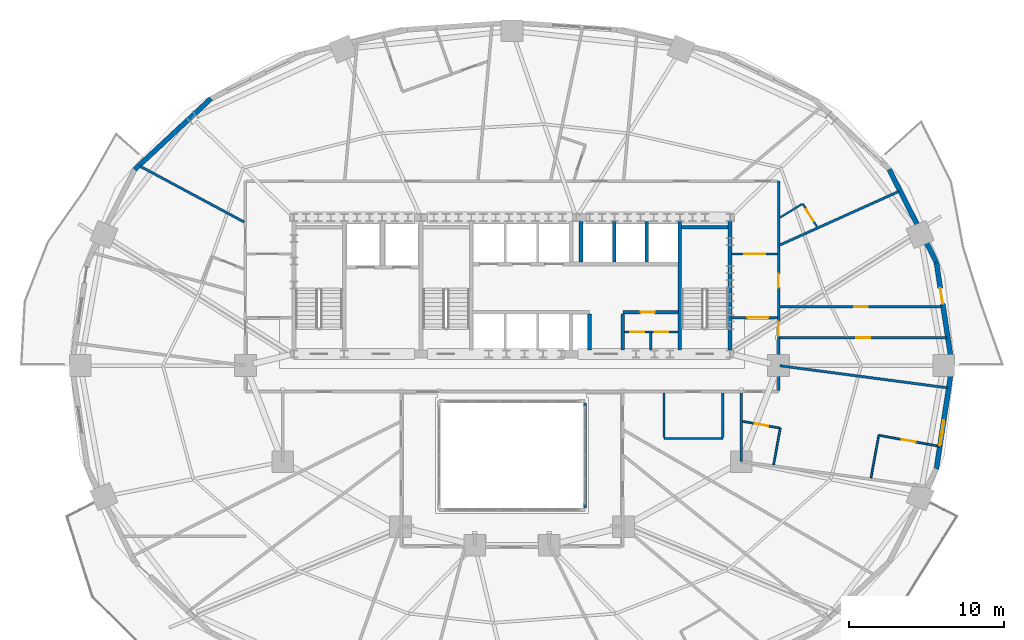
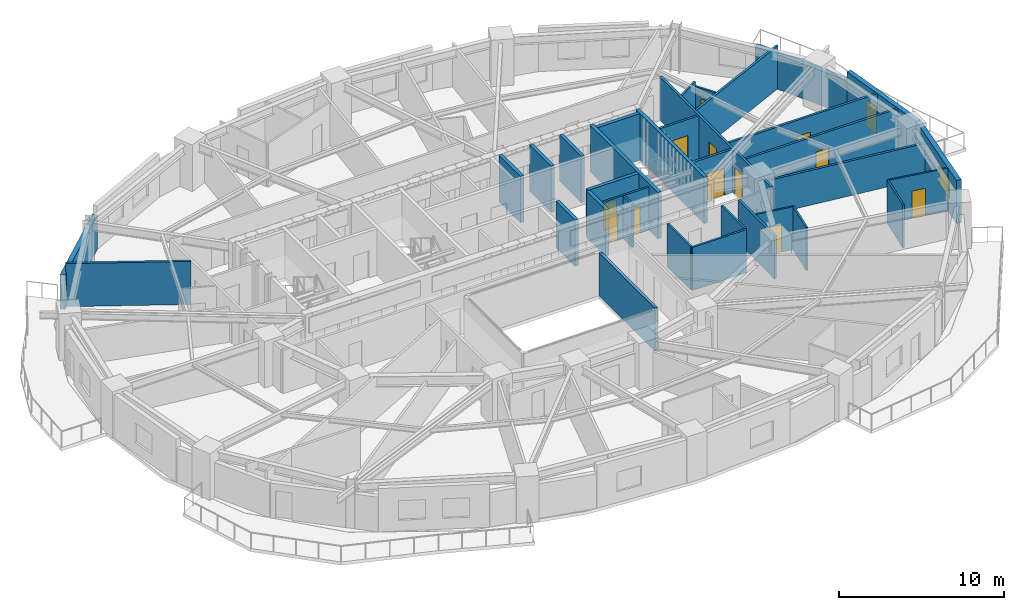
# One storey, part 10 of 15: 34 walls, 13 doors, 1 window, 14 openings.
"""IFC4 building model written with IfcOpenShell, lengths in metres."""

from ifc_helpers import new_model, si_unit, direction, frame, frame_2d, origin, place, context, subcontext, project, spatial, rectangle, extrude, material, layer, layer_set, type_object, element, fill, save


model = new_model("IFC4")

# Units and contexts
model_context = context("Model", 3, precision=1e-05, world=origin(), true_north=direction((0.0, 1.0)))
body_context = subcontext(model_context, "Body", "Model", "MODEL_VIEW")
ifc_project = project(units=[si_unit("LENGTHUNIT", "METRE"), si_unit("AREAUNIT", "SQUARE_METRE"), si_unit("VOLUMEUNIT", "CUBIC_METRE"), si_unit("PLANEANGLEUNIT", "RADIAN"), si_unit("MASSUNIT", "GRAM", prefix="KILO")], contexts=[model_context])

# Site, building, storey
site_placement = place(None, origin())
site = spatial("IfcSite", under=ifc_project, at=site_placement, CompositionType="ELEMENT")
building_placement = place(site_placement, origin())
building = spatial("IfcBuilding", under=site, at=building_placement, Name="Haldorwick Loom Tower", CompositionType="ELEMENT")
storey_placement = place(building_placement, frame((0.0, 0.0, 85.25)))
storey = spatial("IfcBuildingStorey", under=building, at=storey_placement, Name="L22", CompositionType="ELEMENT", Elevation=85.25)

# Wall, opening, door
ifc_material_1 = material(Name="Pressed Clay Face Brick and Insulated Masonry Backup Assembly", Category="masonry")
ifc_layer_1 = layer(ifc_material_1, 0.320068359375, Name="Pressed Clay Face Brick and Insulated Masonry Backup Assembly", Category="masonry")
ifc_layer_set_1 = layer_set([ifc_layer_1], Name="Pressed Clay Face Brick and Insulated Masonry Backup Assembly")
wall_type_1 = type_object("IfcWallType", Name="ARC-WL-EXT320", PredefinedType="STANDARD", material=ifc_layer_set_1)
wall_1_placement = place(storey_placement, frame((64.397705078125, 26.0, 0.0), z_axis=(0.0, 0.0, 1.0), x_axis=(-0.150633288003, 0.988589708901, 0.0)))
wall_1 = element("IfcWall", 1, at=wall_1_placement, inside=storey, type_object=wall_type_1, Name="L22 Brick Pier and Spandrel Wall 1", PredefinedType="STANDARD", context=body_context, shape_type="SweptSolid", body=[
    extrude(rectangle(XDim=6.752197265625, YDim=0.320068359375, at=frame_2d((3.3759765625, 0.0))), origin(), (0.0, 0.0, 1.0), 3.2099609375),
])
opening_1_placement = place(wall_1_placement, frame((4.03955078125, 0.0, 0.0)))
opening_1 = element("IfcOpeningElement", 2, at=opening_1_placement, cuts=wall_1, Name="Opening D-BL10", PredefinedType="OPENING", context=body_context, shape_type="SweptSolid", body=[
    extrude(rectangle(XDim=1.0, YDim=2.0400390625, at=frame_2d((0.5, 1.02001953125))), frame((0.0, 0.169921875, 0.0), z_axis=(0.0, -1.0, 0.0), x_axis=(1.0, 0.0, 0.0)), (0.0, 0.0, 1.0), 0.340087890625),
])
ifc_material_2 = material(Name="Thermally Broken Anodized Aluminium Curtain Wall Framing", Category="aluminium")
door_type_1 = type_object("IfcDoorType", Name="ARC-DR-BAL100", OperationType="NOTDEFINED", PredefinedType="DOOR", material=ifc_material_2)
door_1_placement = place(opening_1_placement, origin())
door_1 = element("IfcDoor", 3, at=door_1_placement, inside=storey, type_object=door_type_1, Name="L22 Outdoor Terrace Door SLB-L22-BAL_ENE", OperationType="SINGLE_SWING_LEFT", OverallHeight=2.0400390625, OverallWidth=1.0, PredefinedType="DOOR", context=body_context, shape_type="SweptSolid", body=[
    extrude(rectangle(XDim=1.0, YDim=2.0400390625, at=frame_2d((0.5, 1.02001953125))), frame((0.0, 0.02490234375, 0.0), z_axis=(0.0, -1.0, 0.0), x_axis=(1.0, 0.0, 0.0)), (0.0, 0.0, 1.0), 0.050048828125),
])
fill(opening_1, door_1)

# Walls
wall_2_placement = place(storey_placement, frame((63.380615234375, 32.675048828125, 0.0), z_axis=(0.0, 0.0, 1.0), x_axis=(-0.453374078001, 0.89132033826, 0.0)))
element("IfcWall", 4, at=wall_2_placement, inside=storey, type_object=wall_type_1, Name="L22 Brick Pier and Spandrel Wall 2", PredefinedType="STANDARD", context=body_context, shape_type="SweptSolid", body=[
    extrude(rectangle(XDim=6.709716796875, YDim=0.320068359375, at=frame_2d((3.35498046875, 0.0))), origin(), (0.0, 0.0, 1.0), 2.569091796875),
])
wall_3_placement = place(storey_placement, frame((16.573486328125, 43.2255859375, 0.0), z_axis=(0.0, 0.0, 1.0), x_axis=(-0.732137360086, -0.681157020052, 0.0)))
element("IfcWall", 5, at=wall_3_placement, inside=storey, type_object=wall_type_1, Name="L22 Brick Pier and Spandrel Wall 10", PredefinedType="STANDARD", context=body_context, shape_type="SweptSolid", body=[
    extrude(rectangle(XDim=6.709228515625, YDim=0.320068359375, at=frame_2d((3.3544921875, 0.0))), origin(), (0.0, 0.0, 1.0), 2.569091796875),
])

# Wall, opening, window
wall_4_placement = place(storey_placement, frame((63.380615234375, 19.324951171875, 0.0), z_axis=(0.0, 0.0, 1.0), x_axis=(0.150633288003, 0.988589708901, 0.0)))
wall_4 = element("IfcWall", 6, at=wall_4_placement, inside=storey, type_object=wall_type_1, Name="L22 Brick Pier and Spandrel Wall 24", PredefinedType="STANDARD", context=body_context, shape_type="SweptSolid", body=[
    extrude(rectangle(XDim=6.752197265625, YDim=0.320068359375, at=frame_2d((3.3759765625, 0.0))), origin(), (0.0, 0.0, 1.0), 3.2099609375),
])
opening_2_placement = place(wall_4_placement, frame((1.53515625, 0.0, 0.800048828125)))
opening_2 = element("IfcOpeningElement", 7, at=opening_2_placement, cuts=wall_4, Name="Opening W-01B", PredefinedType="OPENING", context=body_context, shape_type="SweptSolid", body=[
    extrude(rectangle(XDim=1.64990234375, YDim=1.449951171875, at=frame_2d((0.824951171875, 0.72509765625))), frame((0.0, 0.169921875, 0.0), z_axis=(0.0, -1.0, 0.0), x_axis=(1.0, 0.0, 0.0)), (0.0, 0.0, 1.0), 0.340087890625),
])
ifc_material_3 = material(Name="Triple-Glazed Low-E Argon Insulated Glazing Unit", Category="glass")
window_type = type_object("IfcWindowType", Name="ARC-WIN-W165", PartitioningType="SINGLE_PANEL", PredefinedType="WINDOW", material=ifc_material_3)
window_placement = place(opening_2_placement, origin())
window = element("IfcWindow", 8, at=window_placement, inside=storey, type_object=window_type, Name="L22 Deep-Set Zone 7A Window 24", OverallHeight=1.449951171875, OverallWidth=1.64990234375, PartitioningType="SINGLE_PANEL", PredefinedType="WINDOW", context=body_context, shape_type="SweptSolid", body=[
    extrude(rectangle(XDim=1.64990234375, YDim=1.449951171875, at=frame_2d((0.824951171875, 0.72509765625))), frame((0.0, 0.030029296875, 0.0), z_axis=(0.0, -1.0, 0.0), x_axis=(1.0, 0.0, 0.0)), (0.0, 0.0, 1.0), 0.06005859375),
])
fill(opening_2, window)

# Wall, openings, doors
ifc_material_4 = material(Name="Fire-Rated Type X Gypsum Stud Assembly EI 60")
ifc_layer_2 = layer(ifc_material_4, 0.159912109375, Name="Fire-Rated Type X Gypsum Stud Assembly EI 60")
ifc_layer_set_2 = layer_set([ifc_layer_2], Name="Fire-Rated Type X Gypsum Stud Assembly EI 60")
wall_type_2 = type_object("IfcWallType", Name="ARC-WL-FIRE160", PredefinedType="PARTITIONING", material=ifc_layer_set_2)
wall_5_placement = place(storey_placement, frame((53.199951171875, 24.383056640625, 0.0), z_axis=(0.0, 0.0, 1.0), x_axis=(0.0, 1.0, 0.0)))
wall_5 = element("IfcWall", 9, at=wall_5_placement, inside=storey, type_object=wall_type_2, Name="L22 Residential Fire Partition L22-CR-E0", PredefinedType="PARTITIONING", context=body_context, shape_type="SweptSolid", body=[
    extrude(rectangle(XDim=13.516845703125, YDim=0.159912109375, at=frame_2d((6.75830078125, 0.0))), origin(), (0.0, 0.0, 1.0), 3.195068359375),
])
opening_3_placement = place(wall_5_placement, frame((3.53857421875, 0.0, 0.0)))
opening_3 = element("IfcOpeningElement", 10, at=opening_3_placement, cuts=wall_5, Name="Opening D-FD60A", PredefinedType="OPENING", context=body_context, shape_type="SweptSolid", body=[
    extrude(rectangle(XDim=0.89990234375, YDim=2.0, at=frame_2d((0.449951171875, 1.0))), frame((0.0, 0.08984375, 0.0), z_axis=(0.0, -1.0, 0.0), x_axis=(1.0, 0.0, 0.0)), (0.0, 0.0, 1.0), 0.179931640625),
])
opening_4_placement = place(wall_5_placement, frame((6.640869140625, 0.0, 0.0)))
opening_4 = element("IfcOpeningElement", 11, at=opening_4_placement, cuts=wall_5, Name="Opening D-FD60A", PredefinedType="OPENING", context=body_context, shape_type="SweptSolid", body=[
    extrude(rectangle(XDim=0.89990234375, YDim=2.0, at=frame_2d((0.449951171875, 1.0))), frame((0.0, 0.08984375, 0.0), z_axis=(0.0, -1.0, 0.0), x_axis=(1.0, 0.0, 0.0)), (0.0, 0.0, 1.0), 0.179931640625),
])
ifc_material_5 = material(Name="Hollow Steel Fire Door Assembly", Category="steel")
door_type_2 = type_object("IfcDoorType", Name="ARC-DR-FD60-90", OperationType="NOTDEFINED", PredefinedType="DOOR", material=ifc_material_5)
door_2_placement = place(opening_3_placement, origin())
door_2 = element("IfcDoor", 12, at=door_2_placement, inside=storey, type_object=door_type_2, Name="L22 L22 Central Residential Corridor to L22 East Daylight Corridor Door", OperationType="SINGLE_SWING_LEFT", OverallHeight=2.0, OverallWidth=0.89990234375, PredefinedType="DOOR", context=body_context, shape_type="SweptSolid", body=[
    extrude(rectangle(XDim=0.89990234375, YDim=2.0, at=frame_2d((0.449951171875, 1.0))), frame((0.0, 0.02490234375, 0.0), z_axis=(0.0, -1.0, 0.0), x_axis=(1.0, 0.0, 0.0)), (0.0, 0.0, 1.0), 0.050048828125),
])
fill(opening_3, door_2)
door_3_placement = place(opening_4_placement, origin())
door_3 = element("IfcDoor", 13, at=door_3_placement, inside=storey, type_object=door_type_2, Name="L22 L22 East Residential Corridor to Shared Resident Dining Hall 4 Door", OperationType="SINGLE_SWING_LEFT", OverallHeight=2.0, OverallWidth=0.89990234375, PredefinedType="DOOR", context=body_context, shape_type="SweptSolid", body=[
    extrude(rectangle(XDim=0.89990234375, YDim=2.0, at=frame_2d((0.449951171875, 1.0))), frame((0.0, 0.02490234375, 0.0), z_axis=(0.0, -1.0, 0.0), x_axis=(1.0, 0.0, 0.0)), (0.0, 0.0, 1.0), 0.050048828125),
])
fill(opening_4, door_3)

# Wall, opening, door
wall_6_placement = place(storey_placement, frame((50.193115234375, 29.10009765625, 0.0), z_axis=(0.0, 0.0, 1.0), x_axis=(1.0, 0.0, 0.0)))
wall_6 = element("IfcWall", 14, at=wall_6_placement, inside=storey, type_object=wall_type_2, Name="L22 Residential Fire Partition L22-CR-ESJ", PredefinedType="PARTITIONING", context=body_context, shape_type="SweptSolid", body=[
    extrude(rectangle(XDim=2.923828125, YDim=0.159912109375, at=frame_2d((1.4619140625, 0.0))), origin(), (0.0, 0.0, 1.0), 3.195068359375),
])
opening_5_placement = place(wall_6_placement, frame((0.99560546875, 0.0, 0.0)))
opening_5 = element("IfcOpeningElement", 15, at=opening_5_placement, cuts=wall_6, Name="Opening D-CR15", PredefinedType="OPENING", context=body_context, shape_type="SweptSolid", body=[
    extrude(rectangle(XDim=1.35009765625, YDim=2.0, at=frame_2d((0.675048828125, 1.0))), frame((0.0, 0.08984375, 0.0), z_axis=(0.0, -1.0, 0.0), x_axis=(1.0, 0.0, 0.0)), (0.0, 0.0, 1.0), 0.179931640625),
])
ifc_material_6 = material(Name="Thermally Broken Anodized Aluminium and Tempered Glass", Category="aluminium")
door_type_3 = type_object("IfcDoorType", Name="ARC-DR-COR150", OperationType="NOTDEFINED", PredefinedType="DOOR", material=ifc_material_6)
door_4_placement = place(opening_5_placement, origin())
door_4 = element("IfcDoor", 16, at=door_4_placement, inside=storey, type_object=door_type_3, Name="L22 L22 East Residential Corridor to L22 Central Residential Corridor Do", OperationType="DOUBLE_DOOR_SINGLE_SWING", OverallHeight=2.0, OverallWidth=1.35009765625, PredefinedType="DOOR", context=body_context, shape_type="SweptSolid", body=[
    extrude(rectangle(XDim=1.35009765625, YDim=2.0, at=frame_2d((0.675048828125, 1.0))), frame((0.0, 0.02490234375, 0.0), z_axis=(0.0, -1.0, 0.0), x_axis=(1.0, 0.0, 0.0)), (0.0, 0.0, 1.0), 0.050048828125),
])
fill(opening_5, door_4)

wall_7_placement = place(storey_placement, frame((50.193115234375, 33.199951171875, 0.0), z_axis=(0.0, 0.0, 1.0), x_axis=(1.0, 0.0, 0.0)))
wall_7 = element("IfcWall", 17, at=wall_7_placement, inside=storey, type_object=wall_type_2, Name="L22 Residential Fire Partition L22-CR-ENJ", PredefinedType="PARTITIONING", context=body_context, shape_type="SweptSolid", body=[
    extrude(rectangle(XDim=2.923828125, YDim=0.159912109375, at=frame_2d((1.4619140625, 0.0))), origin(), (0.0, 0.0, 1.0), 3.195068359375),
])
opening_6_placement = place(wall_7_placement, frame((0.787109375, 0.0, 0.0)))
opening_6 = element("IfcOpeningElement", 18, at=opening_6_placement, cuts=wall_7, Name="Opening D-CR15", PredefinedType="OPENING", context=body_context, shape_type="SweptSolid", body=[
    extrude(rectangle(XDim=1.35009765625, YDim=2.0, at=frame_2d((0.675048828125, 1.0))), frame((0.0, 0.08984375, 0.0), z_axis=(0.0, -1.0, 0.0), x_axis=(1.0, 0.0, 0.0)), (0.0, 0.0, 1.0), 0.179931640625),
])
door_5_placement = place(opening_6_placement, origin())
door_5 = element("IfcDoor", 19, at=door_5_placement, inside=storey, type_object=door_type_3, Name="L22 L22 North Residential Corridor to L22 East Residential Corridor Door", OperationType="DOUBLE_DOOR_SINGLE_SWING", OverallHeight=2.0, OverallWidth=1.35009765625, PredefinedType="DOOR", context=body_context, shape_type="SweptSolid", body=[
    extrude(rectangle(XDim=1.35009765625, YDim=2.0, at=frame_2d((0.675048828125, 1.0))), frame((0.0, 0.02490234375, 0.0), z_axis=(0.0, -1.0, 0.0), x_axis=(1.0, 0.0, 0.0)), (0.0, 0.0, 1.0), 0.050048828125),
])
fill(opening_6, door_5)

wall_8_placement = place(storey_placement, frame((53.282958984375, 27.800048828125, 0.0), z_axis=(0.0, 0.0, 1.0), x_axis=(1.0, 0.0, 0.0)))
wall_8 = element("IfcWall", 20, at=wall_8_placement, inside=storey, type_object=wall_type_2, Name="L22 Residential Fire Partition L22-CR-GE0", PredefinedType="PARTITIONING", context=body_context, shape_type="SweptSolid", body=[
    extrude(rectangle(XDim=10.774658203125, YDim=0.159912109375, at=frame_2d((5.38720703125, 0.0))), origin(), (0.0, 0.0, 1.0), 3.195068359375),
])
opening_7_placement = place(wall_8_placement, frame((4.937255859375, 0.0, 0.0)))
opening_7 = element("IfcOpeningElement", 21, at=opening_7_placement, cuts=wall_8, Name="Opening D-FD60A", PredefinedType="OPENING", context=body_context, shape_type="SweptSolid", body=[
    extrude(rectangle(XDim=0.89990234375, YDim=2.0, at=frame_2d((0.449951171875, 1.0))), frame((0.0, 0.08984375, 0.0), z_axis=(0.0, -1.0, 0.0), x_axis=(1.0, 0.0, 0.0)), (0.0, 0.0, 1.0), 0.179931640625),
])
door_6_placement = place(opening_7_placement, origin())
door_6 = element("IfcDoor", 22, at=door_6_placement, inside=storey, type_object=door_type_2, Name="L22 L22 East Daylight Corridor to Co-Working Office 3 Door", OperationType="SINGLE_SWING_RIGHT", OverallHeight=2.0, OverallWidth=0.89990234375, PredefinedType="DOOR", context=body_context, shape_type="SweptSolid", body=[
    extrude(rectangle(XDim=0.89990234375, YDim=2.0, at=frame_2d((0.449951171875, 1.0))), frame((0.0, 0.02490234375, 0.0), z_axis=(0.0, -1.0, 0.0), x_axis=(1.0, 0.0, 0.0)), (0.0, 0.0, 1.0), 0.050048828125),
])
fill(opening_7, door_6)

wall_9_placement = place(storey_placement, frame((53.282958984375, 29.800048828125, 0.0), z_axis=(0.0, 0.0, 1.0), x_axis=(1.0, 0.0, 0.0)))
wall_9 = element("IfcWall", 23, at=wall_9_placement, inside=storey, type_object=wall_type_2, Name="L22 Residential Fire Partition L22-CR-GE1", PredefinedType="PARTITIONING", context=body_context, shape_type="SweptSolid", body=[
    extrude(rectangle(XDim=10.4697265625, YDim=0.159912109375, at=frame_2d((5.23486328125, 0.0))), origin(), (0.0, 0.0, 1.0), 3.195068359375),
])
opening_8_placement = place(wall_9_placement, frame((4.784912109375, 0.0, 0.0)))
opening_8 = element("IfcOpeningElement", 24, at=opening_8_placement, cuts=wall_9, Name="Opening D-FD60A", PredefinedType="OPENING", context=body_context, shape_type="SweptSolid", body=[
    extrude(rectangle(XDim=0.89990234375, YDim=2.0, at=frame_2d((0.449951171875, 1.0))), frame((0.0, 0.08984375, 0.0), z_axis=(0.0, -1.0, 0.0), x_axis=(1.0, 0.0, 0.0)), (0.0, 0.0, 1.0), 0.179931640625),
])
door_7_placement = place(opening_8_placement, frame((0.89990234375, 0.0, 0.0), z_axis=(0.0, 0.0, 1.0), x_axis=(-1.0, 0.0, 0.0)))
door_7 = element("IfcDoor", 25, at=door_7_placement, inside=storey, type_object=door_type_2, Name="L22 Shared Resident Dining Hall 4 to L22 East Daylight Corridor Door", OperationType="SINGLE_SWING_LEFT", OverallHeight=2.0, OverallWidth=0.89990234375, PredefinedType="DOOR", context=body_context, shape_type="SweptSolid", body=[
    extrude(rectangle(XDim=0.89990234375, YDim=2.0, at=frame_2d((0.449951171875, 1.0))), frame((0.0, 0.02490234375, 0.0), z_axis=(0.0, -1.0, 0.0), x_axis=(1.0, 0.0, 0.0)), (0.0, 0.0, 1.0), 0.050048828125),
])
fill(opening_8, door_7)

# Walls
wall_10_placement = place(storey_placement, frame((53.282958984375, 25.989013671875, 0.0), z_axis=(0.0, 0.0, 1.0), x_axis=(0.991444783686, -0.130526782315, 0.0)))
element("IfcWall", 26, at=wall_10_placement, inside=storey, type_object=wall_type_2, Name="L22 Residential Fire Partition L22-ICR-01", PredefinedType="PARTITIONING", context=body_context, shape_type="SweptSolid", body=[
    extrude(rectangle(XDim=10.92333984375, YDim=0.159912109375, at=frame_2d((5.461669921875, 0.0))), origin(), (0.0, 0.0, 1.0), 2.568115234375),
])
wall_11_placement = place(storey_placement, frame((50.800048828125, 24.217041015625, 0.0), z_axis=(0.0, 0.0, 1.0), x_axis=(0.0, -1.0, 0.0)))
element("IfcWall", 27, at=wall_11_placement, inside=storey, type_object=wall_type_2, Name="L22 Residential Fire Partition L22-ICA-02", PredefinedType="PARTITIONING", context=body_context, shape_type="SweptSolid", body=[
    extrude(rectangle(XDim=4.4169921875, YDim=0.159912109375, at=frame_2d((2.20849609375, 0.0))), origin(), (0.0, 0.0, 1.0), 3.195068359375),
])
wall_12_placement = place(storey_placement, frame((18.717041015625, 35.26318359375, 0.0), z_axis=(0.0, 0.0, 1.0), x_axis=(-0.8813791741, 0.472409516694, 0.0)))
element("IfcWall", 28, at=wall_12_placement, inside=storey, type_object=wall_type_2, Name="L22 Suite Split Wall", PredefinedType="PARTITIONING", context=body_context, shape_type="SweptSolid", body=[
    extrude(rectangle(XDim=7.63525390625, YDim=0.159912109375, at=frame_2d((3.817626953125, 0.0))), origin(), (0.0, 0.0, 1.0), 3.195068359375),
])
wall_13_placement = place(storey_placement, frame((53.282958984375, 33.780029296875, 0.0), z_axis=(0.0, 0.0, 1.0), x_axis=(0.911868479781, 0.4104824912, 0.0)))
element("IfcWall", 29, at=wall_13_placement, inside=storey, type_object=wall_type_2, Name="L22 Suite Split Wall", PredefinedType="PARTITIONING", context=body_context, shape_type="SweptSolid", body=[
    extrude(rectangle(XDim=8.44384765625, YDim=0.159912109375, at=frame_2d((4.221923828125, 0.0))), origin(), (0.0, 0.0, 1.0), 3.195068359375),
])
ifc_material_7 = material(Name="Fire-Rated Type X Gypsum Stud Assembly EI 120")
ifc_layer_3 = layer(ifc_material_7, 0.199951171875, Name="Fire-Rated Type X Gypsum Stud Assembly EI 120")
ifc_layer_set_3 = layer_set([ifc_layer_3], Name="Fire-Rated Type X Gypsum Stud Assembly EI 120")
wall_type_3 = type_object("IfcWallType", Name="ARC-WL-FIRE200", PredefinedType="PARTITIONING", material=ifc_layer_set_3)
wall_14_placement = place(storey_placement, frame((40.699951171875, 23.596923828125, 0.0), z_axis=(0.0, 0.0, 1.0), x_axis=(0.0, -1.0, 0.0)))
element("IfcWall", 30, at=wall_14_placement, inside=storey, type_object=wall_type_3, Name="L22 Atrium Fire Enclosure Wall E", PredefinedType="PARTITIONING", context=body_context, shape_type="SweptSolid", body=[
    extrude(rectangle(XDim=6.7939453125, YDim=0.199951171875, at=frame_2d((3.39697265625, 0.0))), origin(), (0.0, 0.0, 1.0), 3.195068359375),
])
ifc_material_8 = material(Name="Acoustic Gypsum Stud Assembly STC 55")
ifc_layer_4 = layer(ifc_material_8, 0.1201171875, Name="Acoustic Gypsum Stud Assembly STC 55")
ifc_layer_set_4 = layer_set([ifc_layer_4], Name="Acoustic Gypsum Stud Assembly STC 55")
wall_type_4 = type_object("IfcWallType", Name="ARC-WL-PART120", PredefinedType="PARTITIONING", material=ifc_layer_set_4)
wall_15_placement = place(storey_placement, frame((52.881103515625, 19.601318359375, 0.0), z_axis=(0.0, 0.0, 1.0), x_axis=(0.179243914154, 0.983804665185, 0.0)))
element("IfcWall", 31, at=wall_15_placement, inside=storey, type_object=wall_type_4, Name="L22 Unit 22B Interior Partition", PredefinedType="PARTITIONING", context=body_context, shape_type="SweptSolid", body=[
    extrude(rectangle(XDim=2.397216796875, YDim=0.1201171875, at=frame_2d((1.19873046875, 0.0))), origin(), (0.0, 0.0, 1.0), 3.195068359375),
])

# Wall, opening, door
wall_16_placement = place(storey_placement, frame((50.883056640625, 22.40185546875, 0.0), z_axis=(0.0, 0.0, 1.0), x_axis=(0.983817630046, -0.179172740146, 0.0)))
wall_16 = element("IfcWall", 32, at=wall_16_placement, inside=storey, type_object=wall_type_4, Name="L22 Unit 22B Interior Partition", PredefinedType="PARTITIONING", context=body_context, shape_type="SweptSolid", body=[
    extrude(rectangle(XDim=2.4677734375, YDim=0.1201171875, at=frame_2d((1.23388671875, 0.0))), origin(), (0.0, 0.0, 1.0), 3.195068359375),
])
opening_9_placement = place(wall_16_placement, frame((0.793701171875, 0.0, 0.0)))
opening_9 = element("IfcOpeningElement", 33, at=opening_9_placement, cuts=wall_16, Name="Opening D-BT88", PredefinedType="OPENING", context=body_context, shape_type="SweptSolid", body=[
    extrude(rectangle(XDim=0.8798828125, YDim=2.02001953125, at=frame_2d((0.43994140625, 1.010009765625))), frame((0.0, 0.070068359375, 0.0), z_axis=(0.0, -1.0, 0.0), x_axis=(1.0, 0.0, 0.0)), (0.0, 0.0, 1.0), 0.14013671875),
])
ifc_material_9 = material(Name="Solid Core Birch Architectural Door")
door_type_4 = type_object("IfcDoorType", Name="ARC-DR-BATH88", OperationType="NOTDEFINED", PredefinedType="DOOR", material=ifc_material_9)
door_8_placement = place(opening_9_placement, origin())
door_8 = element("IfcDoor", 34, at=door_8_placement, inside=storey, type_object=door_type_4, Name="L22 Unit 22B Kitchen and Living Room to Unit 22B Bathroom Door", OperationType="SINGLE_SWING_LEFT", OverallHeight=2.02001953125, OverallWidth=0.8798828125, PredefinedType="DOOR", context=body_context, shape_type="SweptSolid", body=[
    extrude(rectangle(XDim=0.8798828125, YDim=2.02001953125, at=frame_2d((0.43994140625, 1.010009765625))), frame((0.0, 0.02490234375, 0.0), z_axis=(0.0, -1.0, 0.0), x_axis=(1.0, 0.0, 0.0)), (0.0, 0.0, 1.0), 0.050048828125),
])
fill(opening_9, door_8)

# Wall
wall_17_placement = place(storey_placement, frame((59.163330078125, 18.74853515625, 0.0), z_axis=(0.0, 0.0, 1.0), x_axis=(0.179246186382, 0.983804251194, 0.0)))
element("IfcWall", 35, at=wall_17_placement, inside=storey, type_object=wall_type_4, Name="L22 Unit 22B Interior Partition", PredefinedType="PARTITIONING", context=body_context, shape_type="SweptSolid", body=[
    extrude(rectangle(XDim=2.799072265625, YDim=0.1201171875, at=frame_2d((1.3994140625, 0.0))), origin(), (0.0, 0.0, 1.0), 3.195068359375),
])

# Wall, opening, door
wall_18_placement = place(storey_placement, frame((59.6650390625, 21.502197265625, 0.0), z_axis=(0.0, 0.0, 1.0), x_axis=(0.983805366882, -0.179240062746, 0.0)))
wall_18 = element("IfcWall", 36, at=wall_18_placement, inside=storey, type_object=wall_type_4, Name="L22 Unit 22B Interior Partition", PredefinedType="PARTITIONING", context=body_context, shape_type="SweptSolid", body=[
    extrude(rectangle(XDim=3.937744140625, YDim=0.1201171875, at=frame_2d((1.96875, 0.0))), origin(), (0.0, 0.0, 1.0), 3.195068359375),
])
opening_10_placement = place(wall_18_placement, frame((1.518798828125, 0.0, 0.0)))
opening_10 = element("IfcOpeningElement", 37, at=opening_10_placement, cuts=wall_18, Name="Opening D-IN90", PredefinedType="OPENING", context=body_context, shape_type="SweptSolid", body=[
    extrude(rectangle(XDim=0.89990234375, YDim=2.0400390625, at=frame_2d((0.449951171875, 1.02001953125))), frame((0.0, 0.070068359375, 0.0), z_axis=(0.0, -1.0, 0.0), x_axis=(1.0, 0.0, 0.0)), (0.0, 0.0, 1.0), 0.14013671875),
])
door_type_5 = type_object("IfcDoorType", Name="ARC-DR-INT90", OperationType="NOTDEFINED", PredefinedType="DOOR", material=ifc_material_9)
door_9_placement = place(opening_10_placement, origin())
door_9 = element("IfcDoor", 38, at=door_9_placement, inside=storey, type_object=door_type_5, Name="L22 Unit 22B Kitchen and Living Room to Unit 22B Bedroom 1 Door", OperationType="SINGLE_SWING_RIGHT", OverallHeight=2.0400390625, OverallWidth=0.89990234375, PredefinedType="DOOR", context=body_context, shape_type="SweptSolid", body=[
    extrude(rectangle(XDim=0.89990234375, YDim=2.0400390625, at=frame_2d((0.449951171875, 1.02001953125))), frame((0.0, 0.02490234375, 0.0), z_axis=(0.0, -1.0, 0.0), x_axis=(1.0, 0.0, 0.0)), (0.0, 0.0, 1.0), 0.050048828125),
])
fill(opening_10, door_9)

wall_19_placement = place(storey_placement, frame((55.681640625, 34.950927734375, 0.0), z_axis=(0.0, 0.0, 1.0), x_axis=(-0.523501526712, 0.852024736455, 0.0)))
wall_19 = element("IfcWall", 39, at=wall_19_placement, inside=storey, type_object=wall_type_4, Name="L22 Unit 22M Interior Partition", PredefinedType="PARTITIONING", context=body_context, shape_type="SweptSolid", body=[
    extrude(rectangle(XDim=1.760498046875, YDim=0.1201171875, at=frame_2d((0.88037109375, 0.0))), origin(), (0.0, 0.0, 1.0), 2.826904296875),
])
opening_11_placement = place(wall_19_placement, frame((0.440185546875, 0.0, 0.0)))
opening_11 = element("IfcOpeningElement", 40, at=opening_11_placement, cuts=wall_19, Name="Opening D-BT88", PredefinedType="OPENING", context=body_context, shape_type="SweptSolid", body=[
    extrude(rectangle(XDim=0.8798828125, YDim=2.02001953125, at=frame_2d((0.43994140625, 1.010009765625))), frame((0.0, 0.070068359375, 0.0), z_axis=(0.0, -1.0, 0.0), x_axis=(1.0, 0.0, 0.0)), (0.0, 0.0, 1.0), 0.14013671875),
])
door_10_placement = place(opening_11_placement, origin())
door_10 = element("IfcDoor", 41, at=door_10_placement, inside=storey, type_object=door_type_4, Name="L22 Unit 22M Bathroom to Unit 22M Kitchen and Studio Living Room Door", OperationType="SINGLE_SWING_LEFT", OverallHeight=2.02001953125, OverallWidth=0.8798828125, PredefinedType="DOOR", context=body_context, shape_type="SweptSolid", body=[
    extrude(rectangle(XDim=0.8798828125, YDim=2.02001953125, at=frame_2d((0.43994140625, 1.010009765625))), frame((0.0, 0.02490234375, 0.0), z_axis=(0.0, -1.0, 0.0), x_axis=(1.0, 0.0, 0.0)), (0.0, 0.0, 1.0), 0.050048828125),
])
fill(opening_11, door_10)

# Wall
wall_20_placement = place(storey_placement, frame((53.282958984375, 35.543212890625, 0.0), z_axis=(0.0, 0.0, 1.0), x_axis=(0.851964238623, 0.523599977185, 0.0)))
element("IfcWall", 42, at=wall_20_placement, inside=storey, type_object=wall_type_4, Name="L22 Unit 22M Interior Partition", PredefinedType="PARTITIONING", context=body_context, shape_type="SweptSolid", body=[
    extrude(rectangle(XDim=1.670654296875, YDim=0.1201171875, at=frame_2d((0.83544921875, 0.0))), origin(), (0.0, 0.0, 1.0), 3.195068359375),
])

# Wall, openings, doors
ifc_layer_5 = layer(ifc_material_4, 0.139892578125, Name="Fire-Rated Type X Gypsum Stud Assembly EI 60")
ifc_layer_set_5 = layer_set([ifc_layer_5], Name="Fire-Rated Type X Gypsum Stud Assembly EI 60")
wall_type_5 = type_object("IfcWallType", Name="ARC-WL-PART140", PredefinedType="PARTITIONING", material=ifc_layer_set_5)
wall_21_placement = place(storey_placement, frame((43.27294921875, 28.159912109375, 0.0), z_axis=(0.0, 0.0, 1.0), x_axis=(1.0, 0.0, 0.0)))
wall_21 = element("IfcWall", 43, at=wall_21_placement, inside=storey, type_object=wall_type_5, Name="L22 Telecom Partition", PredefinedType="PARTITIONING", context=body_context, shape_type="SweptSolid", body=[
    extrude(rectangle(XDim=3.43408203125, YDim=0.139892578125, at=frame_2d((1.717041015625, 0.0))), origin(), (0.0, 0.0, 1.0), 3.195068359375),
])
opening_12_placement = place(wall_21_placement, frame((0.366943359375, 0.0, 0.0)))
opening_12 = element("IfcOpeningElement", 44, at=opening_12_placement, cuts=wall_21, Name="Opening D-BT88", PredefinedType="OPENING", context=body_context, shape_type="SweptSolid", body=[
    extrude(rectangle(XDim=0.8798828125, YDim=2.02001953125, at=frame_2d((0.43994140625, 1.010009765625))), frame((0.0, 0.079833984375, 0.0), z_axis=(0.0, -1.0, 0.0), x_axis=(1.0, 0.0, 0.0)), (0.0, 0.0, 1.0), 0.159912109375),
])
opening_13_placement = place(wall_21_placement, frame((1.93701171875, 0.0, 0.0)))
opening_13 = element("IfcOpeningElement", 45, at=opening_13_placement, cuts=wall_21, Name="Opening D-BT88", PredefinedType="OPENING", context=body_context, shape_type="SweptSolid", body=[
    extrude(rectangle(XDim=0.8798828125, YDim=2.02001953125, at=frame_2d((0.43994140625, 1.010009765625))), frame((0.0, 0.079833984375, 0.0), z_axis=(0.0, -1.0, 0.0), x_axis=(1.0, 0.0, 0.0)), (0.0, 0.0, 1.0), 0.159912109375),
])
door_11_placement = place(opening_12_placement, origin())
door_11 = element("IfcDoor", 46, at=door_11_placement, inside=storey, type_object=door_type_4, Name="L22 Telecom Room Door", OperationType="SINGLE_SWING_LEFT", OverallHeight=2.02001953125, OverallWidth=0.8798828125, PredefinedType="DOOR", context=body_context, shape_type="SweptSolid", body=[
    extrude(rectangle(XDim=0.8798828125, YDim=2.02001953125, at=frame_2d((0.43994140625, 1.010009765625))), frame((0.0, 0.02490234375, 0.0), z_axis=(0.0, -1.0, 0.0), x_axis=(1.0, 0.0, 0.0)), (0.0, 0.0, 1.0), 0.050048828125),
])
fill(opening_12, door_11)
door_12_placement = place(opening_13_placement, origin())
door_12 = element("IfcDoor", 47, at=door_12_placement, inside=storey, type_object=door_type_4, Name="L22 Metering Closet Door", OperationType="SINGLE_SWING_RIGHT", OverallHeight=2.02001953125, OverallWidth=0.8798828125, PredefinedType="DOOR", context=body_context, shape_type="SweptSolid", body=[
    extrude(rectangle(XDim=0.8798828125, YDim=2.02001953125, at=frame_2d((0.43994140625, 1.010009765625))), frame((0.0, 0.02490234375, 0.0), z_axis=(0.0, -1.0, 0.0), x_axis=(1.0, 0.0, 0.0)), (0.0, 0.0, 1.0), 0.050048828125),
])
fill(opening_13, door_12)

# Walls
wall_22_placement = place(storey_placement, frame((44.949951171875, 27.0029296875, 0.0), z_axis=(0.0, 0.0, 1.0), x_axis=(0.0, 1.0, 0.0)))
element("IfcWall", 48, at=wall_22_placement, inside=storey, type_object=wall_type_5, Name="L22 Metering Sub-Partition", PredefinedType="PARTITIONING", context=body_context, shape_type="SweptSolid", body=[
    extrude(rectangle(XDim=1.083984375, YDim=0.139892578125, at=frame_2d((0.5419921875, 0.0))), origin(), (0.0, 0.0, 1.0), 3.195068359375),
])
wall_23_placement = place(storey_placement, frame((45.800048828125, 21.300048828125, 0.0), z_axis=(0.0, 0.0, 1.0), x_axis=(1.0, 0.0, 0.0)))
element("IfcWall", 49, at=wall_23_placement, inside=storey, type_object=wall_type_5, Name="L22 Residential Fire Partition L22-CWC-S", PredefinedType="PARTITIONING", context=body_context, shape_type="SweptSolid", body=[
    extrude(rectangle(XDim=3.800048828125, YDim=0.139892578125, at=frame_2d((1.89990234375, 0.0))), origin(), (0.0, 0.0, 1.0), 3.195068359375),
])
for number, where, z_axis, x_axis, name in (
    (50, (45.800048828125, 21.373046875, 0.0), (0.0, 0.0, 1.0), (0.0, 1.0, 0.0), "L22 Residential Fire Partition L22-CWC-W"),
    (51, (49.60009765625, 21.373046875, 0.0), (0.0, 0.0, 1.0), (0.0, 1.0, 0.0), "L22 Residential Fire Partition L22-CWC-E"),
):
    element("IfcWall", number, at=place(storey_placement, frame(where, z_axis=z_axis, x_axis=x_axis)), inside=storey, type_object=wall_type_5, Name=name, PredefinedType="PARTITIONING", context=body_context, shape_type="SweptSolid", body=[
        extrude(rectangle(XDim=2.843994140625, YDim=0.139892578125, at=frame_2d((1.421875, 0.0))), origin(), (0.0, 0.0, 1.0), 3.195068359375),
    ])
ifc_material_10 = material(Name="Concrete C50 (50 MPa)", Category="concrete")
ifc_layer_6 = layer(ifc_material_10, 0.239990234375, Name="Concrete C50 (50 MPa)", Category="concrete")
ifc_layer_set_6 = layer_set([ifc_layer_6], Name="Concrete C50 (50 MPa)")
wall_type_6 = type_object("IfcWallType", Name="STR-WL-SHAFT240", PredefinedType="SHEAR", material=ifc_layer_set_6)
for number, where, z_axis, x_axis, name in (
    (52, (50.070068359375, 27.0029296875, 0.0), (0.0, 0.0, 1.0), (0.0, 1.0, 0.0), "L22 Core Shear Wall E"),
    (53, (46.830078125, 27.0029296875, 0.0), (0.0, 0.0, 1.0), (0.0, 1.0, 0.0), "L22 Core Shear Wall 4"),
):
    element("IfcWall", number, at=place(storey_placement, frame(where, z_axis=z_axis, x_axis=x_axis)), inside=storey, type_object=wall_type_6, Name=name, PredefinedType="SHEAR", context=body_context, shape_type="SweptSolid", body=[
        extrude(rectangle(XDim=8.294189453125, YDim=0.239990234375, at=frame_2d((4.14697265625, 0.0))), origin(), (0.0, 0.0, 1.0), 3.449951171875),
    ])
wall_24_placement = place(storey_placement, frame((46.952880859375, 34.919921875, 0.0), z_axis=(0.0, 0.0, 1.0), x_axis=(1.0, 0.0, 0.0)))
element("IfcWall", 54, at=wall_24_placement, inside=storey, type_object=wall_type_6, Name="L22 Core Shear Wall 4N", PredefinedType="SHEAR", context=body_context, shape_type="SweptSolid", body=[
    extrude(rectangle(XDim=2.994140625, YDim=0.239990234375, at=frame_2d((1.4970703125, 0.0))), origin(), (0.0, 0.0, 1.0), 3.449951171875),
])

# Wall, opening, door
wall_25_placement = place(storey_placement, frame((43.14990234375, 29.449951171875, 0.0), z_axis=(0.0, 0.0, 1.0), x_axis=(1.0, 0.0, 0.0)))
wall_25 = element("IfcWall", 55, at=wall_25_placement, inside=storey, type_object=wall_type_6, Name="L22 Core Shear Wall LS2", PredefinedType="SHEAR", context=body_context, shape_type="SweptSolid", body=[
    extrude(rectangle(XDim=3.55712890625, YDim=0.239990234375, at=frame_2d((1.778564453125, 0.0))), origin(), (0.0, 0.0, 1.0), 3.449951171875),
])
opening_14_placement = place(wall_25_placement, frame((1.14990234375, 0.0, 0.0)))
opening_14 = element("IfcOpeningElement", 56, at=opening_14_placement, cuts=wall_25, Name="Opening D-FD60A", PredefinedType="OPENING", context=body_context, shape_type="SweptSolid", body=[
    extrude(rectangle(XDim=0.89990234375, YDim=2.0, at=frame_2d((0.449951171875, 1.0))), frame((0.0, 0.1298828125, 0.0), z_axis=(0.0, -1.0, 0.0), x_axis=(1.0, 0.0, 0.0)), (0.0, 0.0, 1.0), 0.260009765625),
])
door_13_placement = place(opening_14_placement, origin())
door_13 = element("IfcDoor", 57, at=door_13_placement, inside=storey, type_object=door_type_2, Name="L22 Janitor Closet Door", OperationType="SINGLE_SWING_LEFT", OverallHeight=2.0, OverallWidth=0.89990234375, PredefinedType="DOOR", context=body_context, shape_type="SweptSolid", body=[
    extrude(rectangle(XDim=0.89990234375, YDim=2.0, at=frame_2d((0.449951171875, 1.0))), frame((0.0, 0.02490234375, 0.0), z_axis=(0.0, -1.0, 0.0), x_axis=(1.0, 0.0, 0.0)), (0.0, 0.0, 1.0), 0.050048828125),
])
fill(opening_14, door_13)

# Walls
for number, where, z_axis, x_axis, name in (
    (58, (41.0, 27.0029296875, 0.0), (0.0, 0.0, 1.0), (0.0, 1.0, 0.0), "L22 Core Shear Wall THW"),
    (59, (43.14990234375, 27.0029296875, 0.0), (0.0, 0.0, 1.0), (0.0, 1.0, 0.0), "L22 Core Shear Wall THE"),
):
    element("IfcWall", number, at=place(storey_placement, frame(where, z_axis=z_axis, x_axis=x_axis)), inside=storey, type_object=wall_type_6, Name=name, PredefinedType="SHEAR", context=body_context, shape_type="SweptSolid", body=[
        extrude(rectangle(XDim=2.323974609375, YDim=0.239990234375, at=frame_2d((1.162109375, 0.0))), origin(), (0.0, 0.0, 1.0), 3.449951171875),
    ])
for number, where, z_axis, x_axis, name in (
    (60, (40.449951171875, 32.673095703125, 0.0), (0.0, 0.0, 1.0), (0.0, 1.0, 0.0), "L22 Core Shear Wall H0"),
    (61, (42.60009765625, 32.673095703125, 0.0), (0.0, 0.0, 1.0), (0.0, 1.0, 0.0), "L22 Core Shear Wall H1"),
    (62, (44.699951171875, 32.673095703125, 0.0), (0.0, 0.0, 1.0), (0.0, 1.0, 0.0), "L22 Core Shear Wall H2"),
):
    element("IfcWall", number, at=place(storey_placement, frame(where, z_axis=z_axis, x_axis=x_axis)), inside=storey, type_object=wall_type_6, Name=name, PredefinedType="SHEAR", context=body_context, shape_type="SweptSolid", body=[
        extrude(rectangle(XDim=2.6240234375, YDim=0.239990234375, at=frame_2d((1.31201171875, 0.0))), origin(), (0.0, 0.0, 1.0), 3.449951171875),
    ])

save(model, "model.ifc")
